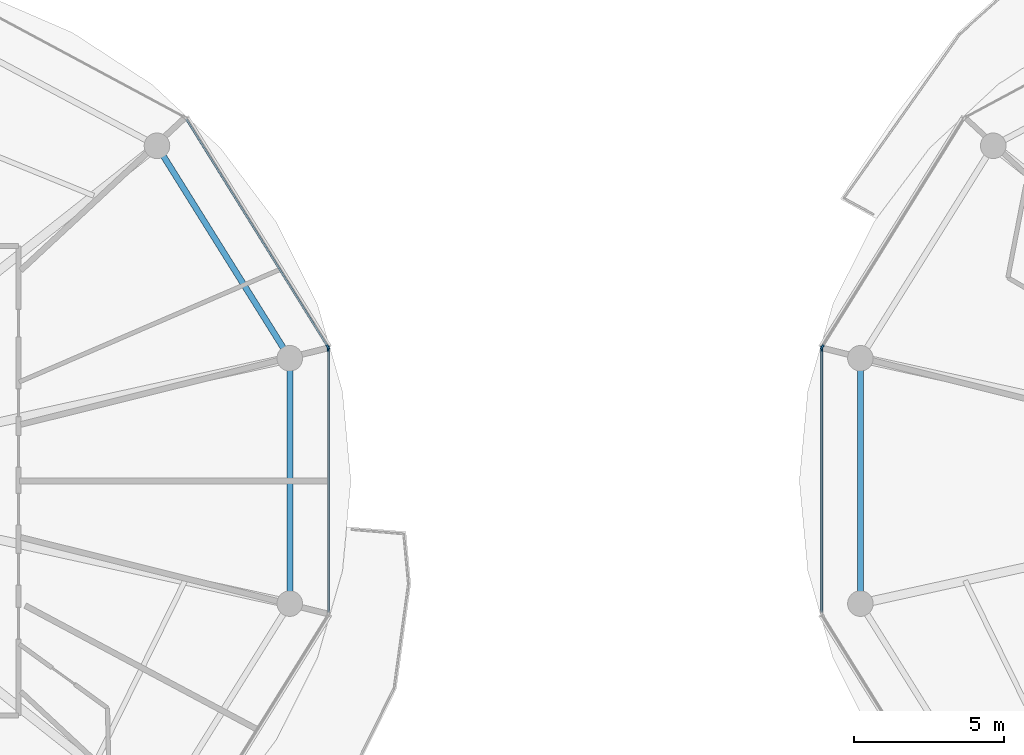
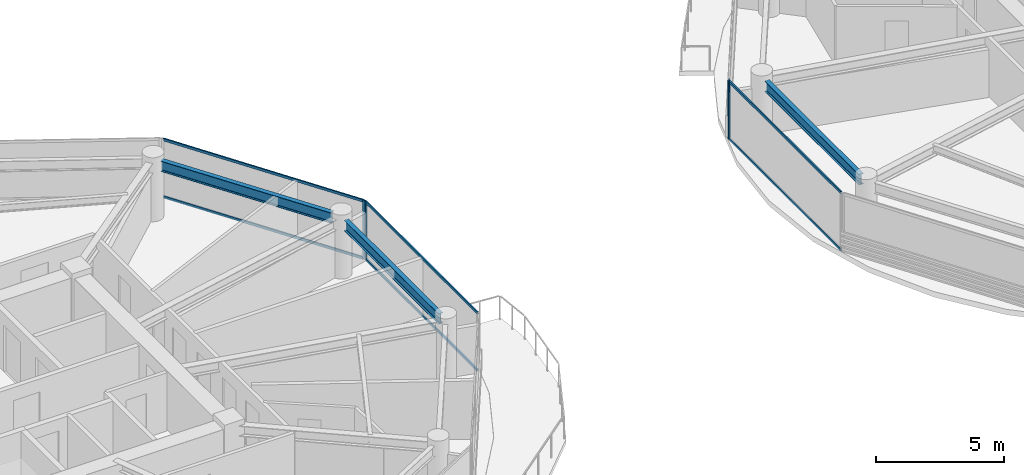
# One storey, part 7 of 24: 10 members, 3 beams, 4 elements without a shape of their own.
"""IFC4 building model written with IfcOpenShell, lengths in metres."""

from ifc_helpers import new_model, si_unit, direction, frame, origin, origin_2d, place, context, subcontext, project, spatial, rectangle, i_section, extrude, source, transform, mapped, material, layer, layer_set, material_profile, profile_set, type_object, type_shapes, element, aggregate, save


model = new_model("IFC4")

# Units and contexts
model_context = context("Model", 3, precision=1e-05, world=origin(), true_north=direction((0.0, 1.0)))
body_context = subcontext(model_context, "Body", "Model", "MODEL_VIEW")
ifc_project = project(units=[si_unit("LENGTHUNIT", "METRE"), si_unit("AREAUNIT", "SQUARE_METRE"), si_unit("VOLUMEUNIT", "CUBIC_METRE"), si_unit("PLANEANGLEUNIT", "RADIAN"), si_unit("MASSUNIT", "GRAM", prefix="KILO")], contexts=[model_context])

# Site, building, storey
site_placement = place(None, origin())
site = spatial("IfcSite", under=ifc_project, at=site_placement, CompositionType="ELEMENT")
building_placement = place(site_placement, origin())
building = spatial("IfcBuilding", under=site, at=building_placement, Name="Norrkilde Senior Care Towers", CompositionType="ELEMENT")
storey_placement = place(building_placement, frame((0.0, 0.0, 117.60009765625)))
storey = spatial("IfcBuildingStorey", under=building, at=storey_placement, Name="L36", CompositionType="ELEMENT", Elevation=117.60009765625)

# Beams
ifc_material_1 = material(Name="Steel S355", Category="steel")
ifc_material_profile_1 = material_profile(ifc_material_1, i_section(OverallWidth=0.199951171875, OverallDepth=0.5, WebThickness=0.01025390625, FlangeThickness=0.01611328125, FilletRadius=0.02099609375, at=origin_2d()), Name="IPE 500")
ifc_profile_set_1 = profile_set([ifc_material_profile_1], Name="Steel S355")
beam_type = type_object("IfcBeamType", Name="Perimeter Ring Spandrel Z2 IPE500", PredefinedType="SPANDREL", material=ifc_profile_set_1)
shared_shape_1 = source(origin(), body_context, "Body", "SweptSolid", [
    extrude(i_section(OverallWidth=0.199951171875, OverallDepth=0.5, WebThickness=0.01025390625, FlangeThickness=0.01611328125, FilletRadius=0.02099609375, at=origin_2d()), origin(), (0.0, 0.0, 1.0), 7.55615234375),
])
beam_placement = place(storey_placement, frame((-9.68505859375, 4.40283203125, 2.539794921875), z_axis=(-0.529981514254, 0.848009194849, 0.0), x_axis=(-0.848009194849, -0.529981514254, 0.0)))
element("IfcBeam", 1, at=beam_placement, inside=storey, type_object=beam_type, Name="L36 Drum W Perimeter Spandrel 01", PredefinedType="SPANDREL", context=body_context, shape_type="MappedRepresentation", body=[
    mapped(shared_shape_1, transform((0.0, 0.0, 0.0), x_axis=(1.0, 0.0, 0.0), y_axis=(0.0, 1.0, 0.0), z_axis=(0.0, 0.0, 1.0), scale=1.0)),
])
shared_shape_2 = source(origin(), body_context, "Body", "SweptSolid", [
    extrude(i_section(OverallWidth=0.199951171875, OverallDepth=0.5, WebThickness=0.01025390625, FlangeThickness=0.01611328125, FilletRadius=0.02099609375, at=origin_2d()), origin(), (0.0, 0.0, 1.0), 7.3828125),
])
type_shapes(beam_type, [shared_shape_1, shared_shape_2])
for number, where, z_axis, x_axis, name in (
    (2, (-9.48095703125, -3.69140625, 2.539794921875), (0.0, 1.0, 0.0), (-1.0, 0.0, 0.0), "L36 Drum W Perimeter Spandrel 12"),
    (3, (9.48095703125, 3.69140625, 2.539794921875), (0.0, -1.0, 0.0), (1.0, 0.0, 0.0), "L36 Drum E Perimeter Spandrel 06"),
):
    element("IfcBeam", number, at=place(storey_placement, frame(where, z_axis=z_axis, x_axis=x_axis)), inside=storey, type_object=beam_type, Name=name, PredefinedType="SPANDREL", context=body_context, shape_type="MappedRepresentation", body=[
        mapped(shared_shape_2, transform((0.0, 0.0, 0.0), x_axis=(1.0, 0.0, 0.0), y_axis=(0.0, 1.0, 0.0), z_axis=(0.0, 0.0, 1.0), scale=1.0)),
    ])

# Curtain wall, member
ifc_material_2 = material(Name="Triple Low-E Insulated Glazing", Category="glass")
ifc_layer = layer(ifc_material_2, 0.195068359375)
ifc_layer_set = layer_set([ifc_layer], Name="Triple Low-E Insulated Glazing")
curtain_wall_type = type_object("IfcCurtainWallType", Name="CW3 Zone 2 Assisted Living Curtain Wall", PredefinedType="NOTDEFINED", material=ifc_layer_set)
curtain_wall_1_placement = place(storey_placement, origin())
curtain_wall_1 = element("IfcCurtainWall", 4, at=curtain_wall_1_placement, inside=storey, type_object=curtain_wall_type, Name="L36 Drum W Curtain Wall 00", PredefinedType="NOTDEFINED")
ifc_material_3 = material(Name="Anodised Aluminium", Category="aluminium")
ifc_material_profile_2 = material_profile(ifc_material_3, rectangle(XDim=0.06494140625, YDim=0.159912109375, at=origin_2d()), Name="ALU MULL 65x160")
ifc_profile_set_2 = profile_set([ifc_material_profile_2], Name="Anodised Aluminium")
member_type_1 = type_object("IfcMemberType", Name="Curtain Wall Mullion Z1-Z2 65x160", PredefinedType="MULLION", material=ifc_profile_set_2)
shared_shape_3 = source(origin(), body_context, "Body", "SweptSolid", [
    extrude(rectangle(XDim=0.06494140625, YDim=0.159912109375, at=origin_2d()), origin(), (0.0, 0.0, 1.0), 2.789794921875),
])
type_shapes(member_type_1, [shared_shape_3])
member_1_placement = place(storey_placement, frame((-8.21337890625, 4.4482421875, 0.0), z_axis=(0.0, 0.0, 1.0), x_axis=(0.849410171862, 0.527733228002, 0.0)))
member_1 = element("IfcMember", 5, at=member_1_placement, type_object=member_type_1, Name="CW-3 mullion 2", PredefinedType="MULLION", context=body_context, shape_type="MappedRepresentation", body=[
    mapped(shared_shape_3, transform((0.0, 0.0, 0.0), x_axis=(1.0, 0.0, 0.0), y_axis=(0.0, 1.0, 0.0), z_axis=(0.0, 0.0, 1.0), scale=1.0)),
])

curtain_wall_2_placement = place(storey_placement, origin())
curtain_wall_2 = element("IfcCurtainWall", 6, at=curtain_wall_2_placement, inside=storey, type_object=curtain_wall_type, Name="L36 Drum W Curtain Wall 11", PredefinedType="NOTDEFINED")
member_2_placement = place(storey_placement, frame((-8.1962890625, 4.38818359375, 0.0), z_axis=(0.0, 0.0, 1.0), x_axis=(1.0, 0.0, 0.0)))
member_2 = element("IfcMember", 7, at=member_2_placement, type_object=member_type_1, Name="CW-3 mullion 1", PredefinedType="MULLION", context=body_context, shape_type="MappedRepresentation", body=[
    mapped(shared_shape_3, transform((0.0, 0.0, 0.0), x_axis=(1.0, 0.0, 0.0), y_axis=(0.0, 1.0, 0.0), z_axis=(0.0, 0.0, 1.0), scale=1.0)),
])

curtain_wall_3_placement = place(storey_placement, origin())
curtain_wall_3 = element("IfcCurtainWall", 8, at=curtain_wall_3_placement, inside=storey, type_object=curtain_wall_type, Name="L36 Drum E Curtain Wall 04", PredefinedType="NOTDEFINED")
member_3_placement = place(storey_placement, frame((8.21337890625, 4.4482421875, 0.0), z_axis=(0.0, 0.0, 1.0), x_axis=(-0.849410171862, 0.527733228002, 0.0)))
member_3 = element("IfcMember", 9, at=member_3_placement, type_object=member_type_1, Name="CW-3 mullion 1", PredefinedType="MULLION", context=body_context, shape_type="MappedRepresentation", body=[
    mapped(shared_shape_3, transform((0.0, 0.0, 0.0), x_axis=(1.0, 0.0, 0.0), y_axis=(0.0, 1.0, 0.0), z_axis=(0.0, 0.0, 1.0), scale=1.0)),
])
aggregate(curtain_wall_3, [member_3])

curtain_wall_4_placement = place(storey_placement, origin())
curtain_wall_4 = element("IfcCurtainWall", 10, at=curtain_wall_4_placement, inside=storey, type_object=curtain_wall_type, Name="L36 Drum E Curtain Wall 05", PredefinedType="NOTDEFINED")
member_4_placement = place(storey_placement, frame((8.1962890625, 4.38818359375, 0.0), z_axis=(0.0, 0.0, 1.0), x_axis=(-1.0, 0.0, 0.0)))
member_4 = element("IfcMember", 11, at=member_4_placement, type_object=member_type_1, Name="CW-3 mullion 2", PredefinedType="MULLION", context=body_context, shape_type="MappedRepresentation", body=[
    mapped(shared_shape_3, transform((0.0, 0.0, 0.0), x_axis=(1.0, 0.0, 0.0), y_axis=(0.0, 1.0, 0.0), z_axis=(0.0, 0.0, 1.0), scale=1.0)),
])

# Member
ifc_material_profile_3 = material_profile(ifc_material_3, rectangle(XDim=0.06005859375, YDim=0.1201171875, at=origin_2d()), Name="ALU TRAN 60x120")
ifc_profile_set_3 = profile_set([ifc_material_profile_3], Name="Anodised Aluminium")
member_type_2 = type_object("IfcMemberType", Name="Curtain Wall Transom Typical 60x120", PredefinedType="USERDEFINED", material=ifc_profile_set_3)
shared_shape_4 = source(origin(), body_context, "Body", "SweptSolid", [
    extrude(rectangle(XDim=0.06005859375, YDim=0.1201171875, at=origin_2d()), origin(), (0.0, 0.0, 1.0), 8.88427734375),
])
member_5_placement = place(storey_placement, frame((-12.919189453125, 12.022216796875, 0.02978515625), z_axis=(0.527749293309, -0.849400190377, 0.0), x_axis=(0.849400190377, 0.527749293309, 0.0)))
member_5 = element("IfcMember", 12, at=member_5_placement, type_object=member_type_2, Name="CW-3 transom 1.1", ObjectType="TRANSOM", PredefinedType="USERDEFINED", context=body_context, shape_type="MappedRepresentation", body=[
    mapped(shared_shape_4, transform((0.0, 0.0, 0.0), x_axis=(1.0, 0.0, 0.0), y_axis=(0.0, 1.0, 0.0), z_axis=(0.0, 0.0, 1.0), scale=1.0)),
])

member_6_placement = place(storey_placement, frame((-12.919189453125, 12.022216796875, 2.760009765625), z_axis=(0.527749293309, -0.849400190377, 0.0), x_axis=(0.849400190377, 0.527749293309, 0.0)))
member_6 = element("IfcMember", 13, at=member_6_placement, type_object=member_type_2, Name="CW-3 transom 1.2", ObjectType="TRANSOM", PredefinedType="USERDEFINED", context=body_context, shape_type="MappedRepresentation", body=[
    mapped(shared_shape_4, transform((0.0, 0.0, 0.0), x_axis=(1.0, 0.0, 0.0), y_axis=(0.0, 1.0, 0.0), z_axis=(0.0, 0.0, 1.0), scale=1.0)),
])

aggregate(curtain_wall_1, [member_1, member_5, member_6])

shared_shape_5 = source(origin(), body_context, "Body", "SweptSolid", [
    extrude(rectangle(XDim=0.06005859375, YDim=0.1201171875, at=origin_2d()), origin(), (0.0, 0.0, 1.0), 8.71142578125),
])
type_shapes(member_type_2, [shared_shape_4, shared_shape_5])
member_7_placement = place(storey_placement, frame((-8.1962890625, 4.355712890625, 0.02978515625), z_axis=(0.0, -1.0, 0.0), x_axis=(1.0, 0.0, 0.0)))
member_7 = element("IfcMember", 14, at=member_7_placement, type_object=member_type_2, Name="CW-3 transom 1.1", ObjectType="TRANSOM", PredefinedType="USERDEFINED", context=body_context, shape_type="MappedRepresentation", body=[
    mapped(shared_shape_5, transform((0.0, 0.0, 0.0), x_axis=(1.0, 0.0, 0.0), y_axis=(0.0, 1.0, 0.0), z_axis=(0.0, 0.0, 1.0), scale=1.0)),
])

member_8_placement = place(storey_placement, frame((-8.1962890625, 4.355712890625, 2.760009765625), z_axis=(0.0, -1.0, 0.0), x_axis=(1.0, 0.0, 0.0)))
member_8 = element("IfcMember", 15, at=member_8_placement, type_object=member_type_2, Name="CW-3 transom 1.2", ObjectType="TRANSOM", PredefinedType="USERDEFINED", context=body_context, shape_type="MappedRepresentation", body=[
    mapped(shared_shape_5, transform((0.0, 0.0, 0.0), x_axis=(1.0, 0.0, 0.0), y_axis=(0.0, 1.0, 0.0), z_axis=(0.0, 0.0, 1.0), scale=1.0)),
])

aggregate(curtain_wall_2, [member_2, member_7, member_8])

member_9_placement = place(storey_placement, frame((8.1962890625, -4.355712890625, 0.02978515625), z_axis=(0.0, 1.0, 0.0), x_axis=(-1.0, 0.0, 0.0)))
member_9 = element("IfcMember", 16, at=member_9_placement, type_object=member_type_2, Name="CW-3 transom 1.1", ObjectType="TRANSOM", PredefinedType="USERDEFINED", context=body_context, shape_type="MappedRepresentation", body=[
    mapped(shared_shape_5, transform((0.0, 0.0, 0.0), x_axis=(1.0, 0.0, 0.0), y_axis=(0.0, 1.0, 0.0), z_axis=(0.0, 0.0, 1.0), scale=1.0)),
])

member_10_placement = place(storey_placement, frame((8.1962890625, -4.355712890625, 2.760009765625), z_axis=(0.0, 1.0, 0.0), x_axis=(-1.0, 0.0, 0.0)))
member_10 = element("IfcMember", 17, at=member_10_placement, type_object=member_type_2, Name="CW-3 transom 1.2", ObjectType="TRANSOM", PredefinedType="USERDEFINED", context=body_context, shape_type="MappedRepresentation", body=[
    mapped(shared_shape_5, transform((0.0, 0.0, 0.0), x_axis=(1.0, 0.0, 0.0), y_axis=(0.0, 1.0, 0.0), z_axis=(0.0, 0.0, 1.0), scale=1.0)),
])

aggregate(curtain_wall_4, [member_4, member_9, member_10])

save(model, "model.ifc")
